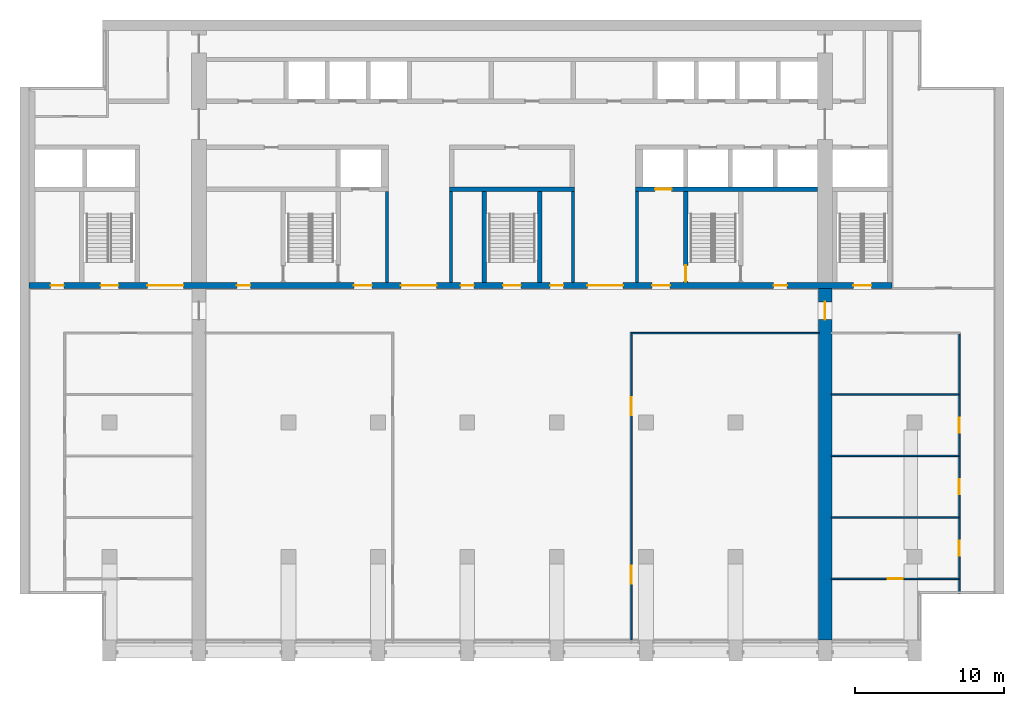
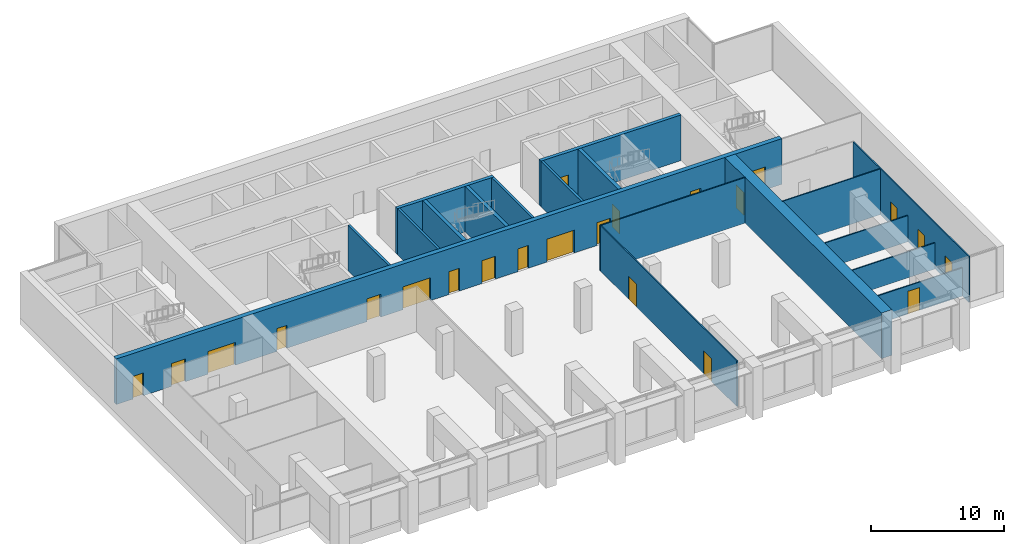
# One storey, part 7 of 13: 22 doors, 18 walls, 22 openings.
"""IFC4 building model written with IfcOpenShell, lengths in metres."""

from ifc_helpers import new_model, si_unit, direction, frame, frame_2d, origin, place, context, subcontext, project, spatial, rectangle, extrude, material, layer, layer_set, type_object, element, fill, save


model = new_model("IFC4")

# Units and contexts
model_context = context("Model", 3, precision=1e-05, world=origin(), true_north=direction((0.0, 1.0)))
body_context = subcontext(model_context, "Body", "Model", "MODEL_VIEW")
ifc_project = project(units=[si_unit("LENGTHUNIT", "METRE"), si_unit("AREAUNIT", "SQUARE_METRE"), si_unit("VOLUMEUNIT", "CUBIC_METRE"), si_unit("PLANEANGLEUNIT", "RADIAN"), si_unit("MASSUNIT", "GRAM", prefix="KILO")], contexts=[model_context])

# Site, building, storey
site_placement = place(None, origin())
site = spatial("IfcSite", under=ifc_project, at=site_placement, CompositionType="ELEMENT")
building_placement = place(site_placement, origin())
building = spatial("IfcBuilding", under=site, at=building_placement, Name="Calvaro Tower", CompositionType="ELEMENT")
storey_placement = place(building_placement, frame((0.0, 0.0, 226.75)))
storey = spatial("IfcBuildingStorey", under=building, at=storey_placement, Name="L57", CompositionType="ELEMENT", Elevation=226.75)

# Walls
ifc_material_1 = material(Name="Blockwork partition", Category="masonry")
ifc_layer_1 = layer(ifc_material_1, 0.199951171875)
ifc_layer_set_1 = layer_set([ifc_layer_1], Name="Blockwork partition")
wall_type_1 = type_object("IfcWallType", Name="Core partition 200 REI 120", PredefinedType="PARTITIONING", material=ifc_layer_set_1)
for number, where, z_axis, x_axis, name in (
    (1, (30.60009765625, 28.39990234375, 0.0), (0.0, 0.0, 1.0), (0.0, 1.0, 0.0), "Core partition"),
    (2, (34.89990234375, 28.39990234375, 0.0), (0.0, 0.0, 1.0), (0.0, 1.0, 0.0), "Core partition"),
    (3, (43.10009765625, 28.39990234375, 0.0), (0.0, 0.0, 1.0), (0.0, 1.0, 0.0), "Core partition"),
    (4, (47.39990234375, 28.39990234375, 0.0), (0.0, 0.0, 1.0), (0.0, 1.0, 0.0), "Core partition"),
):
    element("IfcWall", number, at=place(storey_placement, frame(where, z_axis=z_axis, x_axis=x_axis)), inside=storey, type_object=wall_type_1, Name=name, PredefinedType="PARTITIONING", context=body_context, shape_type="SweptSolid", body=[
        extrude(rectangle(XDim=6.10009765625, YDim=0.199951171875, at=frame_2d((3.050048828125, 0.0))), origin(), (0.0, 0.0, 1.0), 4.199951171875),
    ])
ifc_material_2 = material(Name="Concrete C50/60", Category="concrete")
ifc_layer_2 = layer(ifc_material_2, 0.300048828125)
ifc_layer_set_2 = layer_set([ifc_layer_2], Name="Concrete C50/60")
wall_type_2 = type_object("IfcWallType", Name="Core wall C50/60 300", PredefinedType="SHEAR", material=ifc_layer_set_2)
for number, where, z_axis, x_axis, name in (
    (5, (37.14990234375, 28.39990234375, 0.0), (0.0, 0.0, 1.0), (0.0, 1.0, 0.0), "Core wall, stair enclosure"),
    (6, (40.85009765625, 28.39990234375, 0.0), (0.0, 0.0, 1.0), (0.0, 1.0, 0.0), "Core wall, stair enclosure"),
):
    element("IfcWall", number, at=place(storey_placement, frame(where, z_axis=z_axis, x_axis=x_axis)), inside=storey, type_object=wall_type_2, Name=name, PredefinedType="SHEAR", context=body_context, shape_type="SweptSolid", body=[
        extrude(rectangle(XDim=6.10009765625, YDim=0.300048828125, at=frame_2d((3.050048828125, 0.0))), origin(), (0.0, 0.0, 1.0), 4.199951171875),
    ])

# Wall, opening, door
wall_1_placement = place(storey_placement, frame((50.64990234375, 34.5, 0.0), z_axis=(0.0, 0.0, 1.0), x_axis=(0.0, -1.0, 0.0)))
wall_1 = element("IfcWall", 7, at=wall_1_placement, inside=storey, type_object=wall_type_2, Name="Core wall, stair enclosure", PredefinedType="SHEAR", context=body_context, shape_type="SweptSolid", body=[
    extrude(rectangle(XDim=6.10009765625, YDim=0.300048828125, at=frame_2d((3.050048828125, 0.0))), origin(), (0.0, 0.0, 1.0), 4.199951171875),
])
opening_1_placement = place(wall_1_placement, frame((4.949951171875, 0.0, 0.0)))
opening_1 = element("IfcOpeningElement", 8, at=opening_1_placement, cuts=wall_1, Name="Opening FD11D", PredefinedType="OPENING", context=body_context, shape_type="SweptSolid", body=[
    extrude(rectangle(XDim=1.10009765625, YDim=2.10009765625, at=frame_2d((0.550048828125, 1.050048828125))), frame((0.0, 0.159912109375, 0.0), z_axis=(0.0, -1.0, 0.0), x_axis=(1.0, 0.0, 0.0)), (0.0, 0.0, 1.0), 0.320068359375),
])
ifc_material_3 = material(Name="Steel door set", Category="steel")
door_type_1 = type_object("IfcDoorType", Name="Fire door 1100 FD30S", OperationType="SINGLE_SWING_LEFT", PredefinedType="DOOR", material=ifc_material_3)
door_1_placement = place(opening_1_placement, origin())
door_1 = element("IfcDoor", 9, at=door_1_placement, inside=storey, type_object=door_type_1, Name="Fire door", OperationType="SINGLE_SWING_RIGHT", OverallHeight=2.10009765625, OverallWidth=1.10009765625, PredefinedType="DOOR", context=body_context, shape_type="SweptSolid", body=[
    extrude(rectangle(XDim=1.10009765625, YDim=2.10009765625, at=frame_2d((0.550048828125, 1.050048828125))), frame((0.0, 0.02490234375, 0.0), z_axis=(0.0, -1.0, 0.0), x_axis=(1.0, 0.0, 0.0)), (0.0, 0.0, 1.0), 0.050048828125),
])
fill(opening_1, door_1)

# Wall
wall_2_placement = place(storey_placement, frame((34.800048828125, 34.64990234375, 0.0), z_axis=(0.0, 0.0, 1.0), x_axis=(1.0, 0.0, 0.0)))
element("IfcWall", 10, at=wall_2_placement, inside=storey, type_object=wall_type_2, Name="Core wall, lift shaft", PredefinedType="SHEAR", context=body_context, shape_type="SweptSolid", body=[
    extrude(rectangle(XDim=8.39990234375, YDim=0.300048828125, at=frame_2d((4.199951171875, 0.0))), origin(), (0.0, 0.0, 1.0), 4.199951171875),
])

# Wall, opening, door
wall_3_placement = place(storey_placement, frame((47.300048828125, 34.64990234375, 0.0), z_axis=(0.0, 0.0, 1.0), x_axis=(1.0, 0.0, 0.0)))
wall_3 = element("IfcWall", 11, at=wall_3_placement, inside=storey, type_object=wall_type_2, Name="Core wall, lift shaft", PredefinedType="SHEAR", context=body_context, shape_type="SweptSolid", body=[
    extrude(rectangle(XDim=12.199951171875, YDim=0.300048828125, at=frame_2d((6.10009765625, 0.0))), origin(), (0.0, 0.0, 1.0), 4.199951171875),
])
opening_2_placement = place(wall_3_placement, frame((1.300048828125, 0.0, 0.0)))
opening_2 = element("IfcOpeningElement", 12, at=opening_2_placement, cuts=wall_3, Name="Opening FF2", PredefinedType="OPENING", context=body_context, shape_type="SweptSolid", body=[
    extrude(rectangle(XDim=1.10009765625, YDim=2.10009765625, at=frame_2d((0.550048828125, 1.050048828125))), frame((0.0, 0.159912109375, 0.0), z_axis=(0.0, -1.0, 0.0), x_axis=(1.0, 0.0, 0.0)), (0.0, 0.0, 1.0), 0.320068359375),
])
ifc_material_4 = material(Name="Stainless steel", Category="steel")
door_type_2 = type_object("IfcDoorType", Name="Landing door 1100 E 60", OperationType="SLIDING_TO_LEFT", PredefinedType="DOOR", material=ifc_material_4)
door_2_placement = place(opening_2_placement, origin())
door_2 = element("IfcDoor", 13, at=door_2_placement, inside=storey, type_object=door_type_2, Name="Landing door FF2", OperationType="SLIDING_TO_LEFT", OverallHeight=2.10009765625, OverallWidth=1.10009765625, PredefinedType="DOOR", context=body_context, shape_type="SweptSolid", body=[
    extrude(rectangle(XDim=1.10009765625, YDim=2.10009765625, at=frame_2d((0.550048828125, 1.050048828125))), frame((0.0, 0.02490234375, 0.0), z_axis=(0.0, -1.0, 0.0), x_axis=(1.0, 0.0, 0.0)), (0.0, 0.0, 1.0), 0.050048828125),
])
fill(opening_2, door_2)

# Wall, openings, doors
ifc_material_5 = material(Name="Concrete C50/60", Category="concrete")
ifc_layer_3 = layer(ifc_material_5, 0.39990234375)
ifc_layer_set_3 = layer_set([ifc_layer_3], Name="Concrete C50/60")
wall_type_3 = type_object("IfcWallType", Name="Core wall C50/60 400", PredefinedType="SHEAR", material=ifc_layer_set_3)
wall_4_placement = place(storey_placement, frame((6.60009765625, 28.199951171875, 0.0), z_axis=(0.0, 0.0, 1.0), x_axis=(1.0, 0.0, 0.0)))
wall_4 = element("IfcWall", 14, at=wall_4_placement, inside=storey, type_object=wall_type_3, Name="Core wall, front", PredefinedType="SHEAR", context=body_context, shape_type="SweptSolid", body=[
    extrude(rectangle(XDim=57.89990234375, YDim=0.39990234375, at=frame_2d((28.949951171875, 0.0))), origin(), (0.0, 0.0, 1.0), 4.199951171875),
])
opening_3_placement = place(wall_4_placement, frame((13.949951171875, 0.0, 0.0)))
opening_3 = element("IfcOpeningElement", 15, at=opening_3_placement, cuts=wall_4, Name="Opening RD9D", PredefinedType="OPENING", context=body_context, shape_type="SweptSolid", body=[
    extrude(rectangle(XDim=0.89990234375, YDim=2.10009765625, at=frame_2d((0.449951171875, 1.050048828125))), frame((0.0, 0.2099609375, 0.0), z_axis=(0.0, -1.0, 0.0), x_axis=(1.0, 0.0, 0.0)), (0.0, 0.0, 1.0), 0.419921875),
])
opening_4_placement = place(wall_4_placement, frame((49.949951171875, 0.0, 0.0)))
opening_4 = element("IfcOpeningElement", 16, at=opening_4_placement, cuts=wall_4, Name="Opening RD9D", PredefinedType="OPENING", context=body_context, shape_type="SweptSolid", body=[
    extrude(rectangle(XDim=0.89990234375, YDim=2.10009765625, at=frame_2d((0.449951171875, 1.050048828125))), frame((0.0, 0.2099609375, 0.0), z_axis=(0.0, -1.0, 0.0), x_axis=(1.0, 0.0, 0.0)), (0.0, 0.0, 1.0), 0.419921875),
])
opening_5_placement = place(wall_4_placement, frame((1.449951171875, 0.0, 0.0)))
opening_5 = element("IfcOpeningElement", 17, at=opening_5_placement, cuts=wall_4, Name="Opening RD9E", PredefinedType="OPENING", context=body_context, shape_type="SweptSolid", body=[
    extrude(rectangle(XDim=0.89990234375, YDim=2.10009765625, at=frame_2d((0.449951171875, 1.050048828125))), frame((0.0, 0.2099609375, 0.0), z_axis=(0.0, -1.0, 0.0), x_axis=(1.0, 0.0, 0.0)), (0.0, 0.0, 1.0), 0.419921875),
])
opening_6_placement = place(wall_4_placement, frame((4.800048828125, 0.0, 0.0)))
opening_6 = element("IfcOpeningElement", 18, at=opening_6_placement, cuts=wall_4, Name="Opening SD12D", PredefinedType="OPENING", context=body_context, shape_type="SweptSolid", body=[
    extrude(rectangle(XDim=1.199951171875, YDim=2.10009765625, at=frame_2d((0.60009765625, 1.050048828125))), frame((0.0, 0.2099609375, 0.0), z_axis=(0.0, -1.0, 0.0), x_axis=(1.0, 0.0, 0.0)), (0.0, 0.0, 1.0), 0.419921875),
])
opening_7_placement = place(wall_4_placement, frame((31.800048828125, 0.0, 0.0)))
opening_7 = element("IfcOpeningElement", 19, at=opening_7_placement, cuts=wall_4, Name="Opening SD12D", PredefinedType="OPENING", context=body_context, shape_type="SweptSolid", body=[
    extrude(rectangle(XDim=1.199951171875, YDim=2.10009765625, at=frame_2d((0.60009765625, 1.050048828125))), frame((0.0, 0.2099609375, 0.0), z_axis=(0.0, -1.0, 0.0), x_axis=(1.0, 0.0, 0.0)), (0.0, 0.0, 1.0), 0.419921875),
])
opening_8_placement = place(wall_4_placement, frame((55.300048828125, 0.0, 0.0)))
opening_8 = element("IfcOpeningElement", 20, at=opening_8_placement, cuts=wall_4, Name="Opening SD12D", PredefinedType="OPENING", context=body_context, shape_type="SweptSolid", body=[
    extrude(rectangle(XDim=1.199951171875, YDim=2.10009765625, at=frame_2d((0.60009765625, 1.050048828125))), frame((0.0, 0.2099609375, 0.0), z_axis=(0.0, -1.0, 0.0), x_axis=(1.0, 0.0, 0.0)), (0.0, 0.0, 1.0), 0.419921875),
])
opening_9_placement = place(wall_4_placement, frame((21.800048828125, 0.0, 0.0)))
opening_9 = element("IfcOpeningElement", 21, at=opening_9_placement, cuts=wall_4, Name="Opening FD12F", PredefinedType="OPENING", context=body_context, shape_type="SweptSolid", body=[
    extrude(rectangle(XDim=1.199951171875, YDim=2.10009765625, at=frame_2d((0.60009765625, 1.050048828125))), frame((0.0, 0.2099609375, 0.0), z_axis=(0.0, -1.0, 0.0), x_axis=(1.0, 0.0, 0.0)), (0.0, 0.0, 1.0), 0.419921875),
])
opening_10_placement = place(wall_4_placement, frame((41.800048828125, 0.0, 0.0)))
opening_10 = element("IfcOpeningElement", 22, at=opening_10_placement, cuts=wall_4, Name="Opening FD12F", PredefinedType="OPENING", context=body_context, shape_type="SweptSolid", body=[
    extrude(rectangle(XDim=1.199951171875, YDim=2.10009765625, at=frame_2d((0.60009765625, 1.050048828125))), frame((0.0, 0.2099609375, 0.0), z_axis=(0.0, -1.0, 0.0), x_axis=(1.0, 0.0, 0.0)), (0.0, 0.0, 1.0), 0.419921875),
])
opening_11_placement = place(wall_4_placement, frame((24.949951171875, 0.0, 0.0)))
opening_11 = element("IfcOpeningElement", 23, at=opening_11_placement, cuts=wall_4, Name="Opening DD24D", PredefinedType="OPENING", context=body_context, shape_type="SweptSolid", body=[
    extrude(rectangle(XDim=2.39990234375, YDim=2.10009765625, at=frame_2d((1.199951171875, 1.050048828125))), frame((0.0, 0.2099609375, 0.0), z_axis=(0.0, -1.0, 0.0), x_axis=(1.0, 0.0, 0.0)), (0.0, 0.0, 1.0), 0.419921875),
])
opening_12_placement = place(wall_4_placement, frame((37.449951171875, 0.0, 0.0)))
opening_12 = element("IfcOpeningElement", 24, at=opening_12_placement, cuts=wall_4, Name="Opening DD24D", PredefinedType="OPENING", context=body_context, shape_type="SweptSolid", body=[
    extrude(rectangle(XDim=2.39990234375, YDim=2.10009765625, at=frame_2d((1.199951171875, 1.050048828125))), frame((0.0, 0.2099609375, 0.0), z_axis=(0.0, -1.0, 0.0), x_axis=(1.0, 0.0, 0.0)), (0.0, 0.0, 1.0), 0.419921875),
])
opening_13_placement = place(wall_4_placement, frame((7.949951171875, 0.0, 0.0)))
opening_13 = element("IfcOpeningElement", 25, at=opening_13_placement, cuts=wall_4, Name="Opening DD24D", PredefinedType="OPENING", context=body_context, shape_type="SweptSolid", body=[
    extrude(rectangle(XDim=2.39990234375, YDim=2.10009765625, at=frame_2d((1.199951171875, 1.050048828125))), frame((0.0, 0.2099609375, 0.0), z_axis=(0.0, -1.0, 0.0), x_axis=(1.0, 0.0, 0.0)), (0.0, 0.0, 1.0), 0.419921875),
])
opening_14_placement = place(wall_4_placement, frame((28.949951171875, 0.0, 0.0)))
opening_14 = element("IfcOpeningElement", 26, at=opening_14_placement, cuts=wall_4, Name="Opening RD9E", PredefinedType="OPENING", context=body_context, shape_type="SweptSolid", body=[
    extrude(rectangle(XDim=0.89990234375, YDim=2.10009765625, at=frame_2d((0.449951171875, 1.050048828125))), frame((0.0, 0.2099609375, 0.0), z_axis=(0.0, -1.0, 0.0), x_axis=(1.0, 0.0, 0.0)), (0.0, 0.0, 1.0), 0.419921875),
])
opening_15_placement = place(wall_4_placement, frame((34.949951171875, 0.0, 0.0)))
opening_15 = element("IfcOpeningElement", 27, at=opening_15_placement, cuts=wall_4, Name="Opening RD9E", PredefinedType="OPENING", context=body_context, shape_type="SweptSolid", body=[
    extrude(rectangle(XDim=0.89990234375, YDim=2.10009765625, at=frame_2d((0.449951171875, 1.050048828125))), frame((0.0, 0.2099609375, 0.0), z_axis=(0.0, -1.0, 0.0), x_axis=(1.0, 0.0, 0.0)), (0.0, 0.0, 1.0), 0.419921875),
])
ifc_material_6 = material(Name="Steel door set", Category="steel")
door_type_3 = type_object("IfcDoorType", Name="Fire door 1200 FD60S", OperationType="SINGLE_SWING_LEFT", PredefinedType="DOOR", material=ifc_material_6)
door_3_placement = place(opening_9_placement, origin())
door_3 = element("IfcDoor", 28, at=door_3_placement, inside=storey, type_object=door_type_3, Name="Fire door", OperationType="SINGLE_SWING_LEFT", OverallHeight=2.10009765625, OverallWidth=1.199951171875, PredefinedType="DOOR", context=body_context, shape_type="SweptSolid", body=[
    extrude(rectangle(XDim=1.199951171875, YDim=2.10009765625, at=frame_2d((0.60009765625, 1.050048828125))), frame((0.0, 0.02490234375, 0.0), z_axis=(0.0, -1.0, 0.0), x_axis=(1.0, 0.0, 0.0)), (0.0, 0.0, 1.0), 0.050048828125),
])
fill(opening_9, door_3)
door_4_placement = place(opening_10_placement, origin())
door_4 = element("IfcDoor", 29, at=door_4_placement, inside=storey, type_object=door_type_3, Name="Fire door", OperationType="SINGLE_SWING_LEFT", OverallHeight=2.10009765625, OverallWidth=1.199951171875, PredefinedType="DOOR", context=body_context, shape_type="SweptSolid", body=[
    extrude(rectangle(XDim=1.199951171875, YDim=2.10009765625, at=frame_2d((0.60009765625, 1.050048828125))), frame((0.0, 0.02490234375, 0.0), z_axis=(0.0, -1.0, 0.0), x_axis=(1.0, 0.0, 0.0)), (0.0, 0.0, 1.0), 0.050048828125),
])
fill(opening_10, door_4)
ifc_material_7 = material(Name="Steel door set", Category="steel")
door_type_4 = type_object("IfcDoorType", Name="Lobby double door 2400 FD30S", OperationType="DOUBLE_DOOR_SINGLE_SWING", PredefinedType="DOOR", material=ifc_material_7)
door_5_placement = place(opening_11_placement, origin())
door_5 = element("IfcDoor", 30, at=door_5_placement, inside=storey, type_object=door_type_4, Name="Lobby double door", OperationType="DOUBLE_DOOR_SINGLE_SWING", OverallHeight=2.10009765625, OverallWidth=2.39990234375, PredefinedType="DOOR", context=body_context, shape_type="SweptSolid", body=[
    extrude(rectangle(XDim=2.39990234375, YDim=2.10009765625, at=frame_2d((1.199951171875, 1.050048828125))), frame((0.0, 0.02490234375, 0.0), z_axis=(0.0, -1.0, 0.0), x_axis=(1.0, 0.0, 0.0)), (0.0, 0.0, 1.0), 0.050048828125),
])
fill(opening_11, door_5)
door_6_placement = place(opening_12_placement, origin())
door_6 = element("IfcDoor", 31, at=door_6_placement, inside=storey, type_object=door_type_4, Name="Lobby double door", OperationType="DOUBLE_DOOR_SINGLE_SWING", OverallHeight=2.10009765625, OverallWidth=2.39990234375, PredefinedType="DOOR", context=body_context, shape_type="SweptSolid", body=[
    extrude(rectangle(XDim=2.39990234375, YDim=2.10009765625, at=frame_2d((1.199951171875, 1.050048828125))), frame((0.0, 0.02490234375, 0.0), z_axis=(0.0, -1.0, 0.0), x_axis=(1.0, 0.0, 0.0)), (0.0, 0.0, 1.0), 0.050048828125),
])
fill(opening_12, door_6)
door_7_placement = place(opening_13_placement, origin())
door_7 = element("IfcDoor", 32, at=door_7_placement, inside=storey, type_object=door_type_4, Name="Lobby double door", OperationType="DOUBLE_DOOR_SINGLE_SWING", OverallHeight=2.10009765625, OverallWidth=2.39990234375, PredefinedType="DOOR", context=body_context, shape_type="SweptSolid", body=[
    extrude(rectangle(XDim=2.39990234375, YDim=2.10009765625, at=frame_2d((1.199951171875, 1.050048828125))), frame((0.0, 0.02490234375, 0.0), z_axis=(0.0, -1.0, 0.0), x_axis=(1.0, 0.0, 0.0)), (0.0, 0.0, 1.0), 0.050048828125),
])
fill(opening_13, door_7)
ifc_material_8 = material(Name="Steel door set", Category="steel")
door_type_5 = type_object("IfcDoorType", Name="Room door 900 FD30S", OperationType="SINGLE_SWING_LEFT", PredefinedType="DOOR", material=ifc_material_8)
door_8_placement = place(opening_3_placement, origin())
door_8 = element("IfcDoor", 33, at=door_8_placement, inside=storey, type_object=door_type_5, Name="Room door", OperationType="SINGLE_SWING_LEFT", OverallHeight=2.10009765625, OverallWidth=0.89990234375, PredefinedType="DOOR", context=body_context, shape_type="SweptSolid", body=[
    extrude(rectangle(XDim=0.89990234375, YDim=2.10009765625, at=frame_2d((0.449951171875, 1.050048828125))), frame((0.0, 0.02490234375, 0.0), z_axis=(0.0, -1.0, 0.0), x_axis=(1.0, 0.0, 0.0)), (0.0, 0.0, 1.0), 0.050048828125),
])
fill(opening_3, door_8)
door_9_placement = place(opening_4_placement, origin())
door_9 = element("IfcDoor", 34, at=door_9_placement, inside=storey, type_object=door_type_5, Name="Room door", OperationType="SINGLE_SWING_LEFT", OverallHeight=2.10009765625, OverallWidth=0.89990234375, PredefinedType="DOOR", context=body_context, shape_type="SweptSolid", body=[
    extrude(rectangle(XDim=0.89990234375, YDim=2.10009765625, at=frame_2d((0.449951171875, 1.050048828125))), frame((0.0, 0.02490234375, 0.0), z_axis=(0.0, -1.0, 0.0), x_axis=(1.0, 0.0, 0.0)), (0.0, 0.0, 1.0), 0.050048828125),
])
fill(opening_4, door_9)
ifc_material_9 = material(Name="Steel door set", Category="steel")
door_type_6 = type_object("IfcDoorType", Name="Room door 900 FD60", OperationType="SINGLE_SWING_LEFT", PredefinedType="DOOR", material=ifc_material_9)
door_10_placement = place(opening_5_placement, origin())
door_10 = element("IfcDoor", 35, at=door_10_placement, inside=storey, type_object=door_type_6, Name="Room door", OperationType="SINGLE_SWING_LEFT", OverallHeight=2.10009765625, OverallWidth=0.89990234375, PredefinedType="DOOR", context=body_context, shape_type="SweptSolid", body=[
    extrude(rectangle(XDim=0.89990234375, YDim=2.10009765625, at=frame_2d((0.449951171875, 1.050048828125))), frame((0.0, 0.02490234375, 0.0), z_axis=(0.0, -1.0, 0.0), x_axis=(1.0, 0.0, 0.0)), (0.0, 0.0, 1.0), 0.050048828125),
])
fill(opening_5, door_10)
door_11_placement = place(opening_14_placement, origin())
door_11 = element("IfcDoor", 36, at=door_11_placement, inside=storey, type_object=door_type_6, Name="Room door", OperationType="SINGLE_SWING_LEFT", OverallHeight=2.10009765625, OverallWidth=0.89990234375, PredefinedType="DOOR", context=body_context, shape_type="SweptSolid", body=[
    extrude(rectangle(XDim=0.89990234375, YDim=2.10009765625, at=frame_2d((0.449951171875, 1.050048828125))), frame((0.0, 0.02490234375, 0.0), z_axis=(0.0, -1.0, 0.0), x_axis=(1.0, 0.0, 0.0)), (0.0, 0.0, 1.0), 0.050048828125),
])
fill(opening_14, door_11)
door_12_placement = place(opening_15_placement, origin())
door_12 = element("IfcDoor", 37, at=door_12_placement, inside=storey, type_object=door_type_6, Name="Room door", OperationType="SINGLE_SWING_LEFT", OverallHeight=2.10009765625, OverallWidth=0.89990234375, PredefinedType="DOOR", context=body_context, shape_type="SweptSolid", body=[
    extrude(rectangle(XDim=0.89990234375, YDim=2.10009765625, at=frame_2d((0.449951171875, 1.050048828125))), frame((0.0, 0.02490234375, 0.0), z_axis=(0.0, -1.0, 0.0), x_axis=(1.0, 0.0, 0.0)), (0.0, 0.0, 1.0), 0.050048828125),
])
fill(opening_15, door_12)
ifc_material_10 = material(Name="Steel door set", Category="steel")
door_type_7 = type_object("IfcDoorType", Name="Stair door 1200 FD30S", OperationType="SINGLE_SWING_LEFT", PredefinedType="DOOR", material=ifc_material_10)
door_13_placement = place(opening_6_placement, origin())
door_13 = element("IfcDoor", 38, at=door_13_placement, inside=storey, type_object=door_type_7, Name="Stair door", OperationType="SINGLE_SWING_LEFT", OverallHeight=2.10009765625, OverallWidth=1.199951171875, PredefinedType="DOOR", context=body_context, shape_type="SweptSolid", body=[
    extrude(rectangle(XDim=1.199951171875, YDim=2.10009765625, at=frame_2d((0.60009765625, 1.050048828125))), frame((0.0, 0.02490234375, 0.0), z_axis=(0.0, -1.0, 0.0), x_axis=(1.0, 0.0, 0.0)), (0.0, 0.0, 1.0), 0.050048828125),
])
fill(opening_6, door_13)
door_14_placement = place(opening_7_placement, origin())
door_14 = element("IfcDoor", 39, at=door_14_placement, inside=storey, type_object=door_type_7, Name="Stair door", OperationType="SINGLE_SWING_LEFT", OverallHeight=2.10009765625, OverallWidth=1.199951171875, PredefinedType="DOOR", context=body_context, shape_type="SweptSolid", body=[
    extrude(rectangle(XDim=1.199951171875, YDim=2.10009765625, at=frame_2d((0.60009765625, 1.050048828125))), frame((0.0, 0.02490234375, 0.0), z_axis=(0.0, -1.0, 0.0), x_axis=(1.0, 0.0, 0.0)), (0.0, 0.0, 1.0), 0.050048828125),
])
fill(opening_7, door_14)
door_15_placement = place(opening_8_placement, origin())
door_15 = element("IfcDoor", 40, at=door_15_placement, inside=storey, type_object=door_type_7, Name="Stair door", OperationType="SINGLE_SWING_LEFT", OverallHeight=2.10009765625, OverallWidth=1.199951171875, PredefinedType="DOOR", context=body_context, shape_type="SweptSolid", body=[
    extrude(rectangle(XDim=1.199951171875, YDim=2.10009765625, at=frame_2d((0.60009765625, 1.050048828125))), frame((0.0, 0.02490234375, 0.0), z_axis=(0.0, -1.0, 0.0), x_axis=(1.0, 0.0, 0.0)), (0.0, 0.0, 1.0), 0.050048828125),
])
fill(opening_8, door_15)

# Wall, opening, door
ifc_material_11 = material(Name="Concrete C50/60", Category="concrete")
ifc_layer_4 = layer(ifc_material_11, 0.89990234375)
ifc_layer_set_4 = layer_set([ifc_layer_4], Name="Concrete C50/60")
wall_type_4 = type_object("IfcWallType", Name="Outrigger wall 900 C50/60", PredefinedType="SHEAR", material=ifc_layer_set_4)
wall_5_placement = place(storey_placement, frame((60.0, 4.39990234375, 0.0), z_axis=(0.0, 0.0, 1.0), x_axis=(0.0, 1.0, 0.0)))
wall_5 = element("IfcWall", 41, at=wall_5_placement, inside=storey, type_object=wall_type_4, Name="Outrigger wall", PredefinedType="SHEAR", context=body_context, shape_type="SweptSolid", body=[
    extrude(rectangle(XDim=23.60009765625, YDim=0.89990234375, at=frame_2d((11.800048828125, 0.0))), origin(), (0.0, 0.0, 1.0), 4.199951171875),
])
opening_16_placement = place(wall_5_placement, frame((21.5, 0.0, 0.0)))
opening_16 = element("IfcOpeningElement", 42, at=opening_16_placement, cuts=wall_5, Name="Opening T33.017", PredefinedType="OPENING", context=body_context, shape_type="SweptSolid", body=[
    extrude(rectangle(XDim=1.199951171875, YDim=2.10009765625, at=frame_2d((0.60009765625, 1.050048828125))), frame((0.0, 0.4599609375, 0.0), z_axis=(0.0, -1.0, 0.0), x_axis=(1.0, 0.0, 0.0)), (0.0, 0.0, 1.0), 0.919921875),
])
ifc_material_12 = material(Name="Timber", Category="wood")
door_type_8 = type_object("IfcDoorType", Name="Internal single door 1200 x 2100 FD30S", OperationType="SINGLE_SWING_LEFT", PredefinedType="DOOR", material=ifc_material_12)
door_16_placement = place(opening_16_placement, origin())
door_16 = element("IfcDoor", 43, at=door_16_placement, inside=storey, type_object=door_type_8, Name="Door T33.017", OperationType="SINGLE_SWING_LEFT", OverallHeight=2.10009765625, OverallWidth=1.199951171875, PredefinedType="DOOR", context=body_context, shape_type="SweptSolid", body=[
    extrude(rectangle(XDim=1.199951171875, YDim=2.10009765625, at=frame_2d((0.60009765625, 1.050048828125))), frame((0.0, 0.02490234375, 0.0), z_axis=(0.0, -1.0, 0.0), x_axis=(1.0, 0.0, 0.0)), (0.0, 0.0, 1.0), 0.050048828125),
])
fill(opening_16, door_16)

ifc_material_13 = material(Name="Plasterboard on steel studs", Category="steel")
ifc_layer_5 = layer(ifc_material_13, 0.10009765625)
ifc_layer_set_5 = layer_set([ifc_layer_5], Name="Plasterboard on steel studs")
wall_type_5 = type_object("IfcWallType", Name="Partition 100 REI 120", PredefinedType="PARTITIONING", material=ifc_layer_set_5)
wall_6_placement = place(storey_placement, frame((60.39990234375, 8.52001953125, 0.0), z_axis=(0.0, 0.0, 1.0), x_axis=(1.0, 0.0, 0.0)))
wall_6 = element("IfcWall", 44, at=wall_6_placement, inside=storey, type_object=wall_type_5, Name="Partition T33.W002", PredefinedType="PARTITIONING", context=body_context, shape_type="SweptSolid", body=[
    extrude(rectangle(XDim=8.550048828125, YDim=0.10009765625, at=frame_2d((4.27490234375, 0.0))), origin(), (0.0, 0.0, 1.0), 2.60009765625),
])
opening_17_placement = place(wall_6_placement, frame((3.800048828125, 0.0, 0.0)))
opening_17 = element("IfcOpeningElement", 45, at=opening_17_placement, cuts=wall_6, Name="Opening T33.002", PredefinedType="OPENING", context=body_context, shape_type="SweptSolid", body=[
    extrude(rectangle(XDim=1.0, YDim=2.10009765625, at=frame_2d((0.5, 1.050048828125))), frame((0.0, 0.06005859375, 0.0), z_axis=(0.0, -1.0, 0.0), x_axis=(1.0, 0.0, 0.0)), (0.0, 0.0, 1.0), 0.1201171875),
])
ifc_material_14 = material(Name="Timber", Category="wood")
door_type_9 = type_object("IfcDoorType", Name="Internal single door 1000 x 2100 FD60", OperationType="SINGLE_SWING_LEFT", PredefinedType="DOOR", material=ifc_material_14)
door_17_placement = place(opening_17_placement, origin())
door_17 = element("IfcDoor", 46, at=door_17_placement, inside=storey, type_object=door_type_9, Name="Door T33.002", OperationType="SINGLE_SWING_RIGHT", OverallHeight=2.10009765625, OverallWidth=1.0, PredefinedType="DOOR", context=body_context, shape_type="SweptSolid", body=[
    extrude(rectangle(XDim=1.0, YDim=2.10009765625, at=frame_2d((0.5, 1.050048828125))), frame((0.0, 0.02490234375, 0.0), z_axis=(0.0, -1.0, 0.0), x_axis=(1.0, 0.0, 0.0)), (0.0, 0.0, 1.0), 0.050048828125),
])
fill(opening_17, door_17)

# Walls
for number, where, z_axis, x_axis, name in (
    (47, (60.39990234375, 12.639892578125, 0.0), (0.0, 0.0, 1.0), (1.0, 0.0, 0.0), "Partition T33.W004"),
    (48, (60.39990234375, 16.760009765625, 0.0), (0.0, 0.0, 1.0), (1.0, 0.0, 0.0), "Partition T33.W006"),
):
    element("IfcWall", number, at=place(storey_placement, frame(where, z_axis=z_axis, x_axis=x_axis)), inside=storey, type_object=wall_type_5, Name=name, PredefinedType="PARTITIONING", context=body_context, shape_type="SweptSolid", body=[
        extrude(rectangle(XDim=8.550048828125, YDim=0.10009765625, at=frame_2d((4.27490234375, 0.0))), origin(), (0.0, 0.0, 1.0), 2.39990234375),
    ])
wall_7_placement = place(storey_placement, frame((60.39990234375, 20.8798828125, 0.0), z_axis=(0.0, 0.0, 1.0), x_axis=(1.0, 0.0, 0.0)))
element("IfcWall", 49, at=wall_7_placement, inside=storey, type_object=wall_type_5, Name="Partition T33.W008", PredefinedType="PARTITIONING", context=body_context, shape_type="SweptSolid", body=[
    extrude(rectangle(XDim=8.550048828125, YDim=0.10009765625, at=frame_2d((4.27490234375, 0.0))), origin(), (0.0, 0.0, 1.0), 4.199951171875),
])
wall_8_placement = place(storey_placement, frame((46.949951171875, 25.0, 0.0), z_axis=(0.0, 0.0, 1.0), x_axis=(1.0, 0.0, 0.0)))
element("IfcWall", 50, at=wall_8_placement, inside=storey, type_object=wall_type_5, Name="Partition T33.W011", PredefinedType="PARTITIONING", context=body_context, shape_type="SweptSolid", body=[
    extrude(rectangle(XDim=12.650146484375, YDim=0.10009765625, at=frame_2d((6.3251953125, 0.0))), origin(), (0.0, 0.0, 1.0), 4.199951171875),
])

# Wall, openings, doors
wall_9_placement = place(storey_placement, frame((47.0, 4.39990234375, 0.0), z_axis=(0.0, 0.0, 1.0), x_axis=(0.0, 1.0, 0.0)))
wall_9 = element("IfcWall", 51, at=wall_9_placement, inside=storey, type_object=wall_type_5, Name="Partition T33.W016", PredefinedType="PARTITIONING", context=body_context, shape_type="SweptSolid", body=[
    extrude(rectangle(XDim=20.550048828125, YDim=0.10009765625, at=frame_2d((10.27490234375, 0.0))), origin(), (0.0, 0.0, 1.0), 4.199951171875),
])
opening_18_placement = place(wall_9_placement, frame((3.800048828125, 0.0, 0.0)))
opening_18 = element("IfcOpeningElement", 52, at=opening_18_placement, cuts=wall_9, Name="Opening T33.008", PredefinedType="OPENING", context=body_context, shape_type="SweptSolid", body=[
    extrude(rectangle(XDim=1.199951171875, YDim=2.10009765625, at=frame_2d((0.60009765625, 1.050048828125))), frame((0.0, 0.06005859375, 0.0), z_axis=(0.0, -1.0, 0.0), x_axis=(1.0, 0.0, 0.0)), (0.0, 0.0, 1.0), 0.1201171875),
])
opening_19_placement = place(wall_9_placement, frame((15.10009765625, 0.0, 0.0)))
opening_19 = element("IfcOpeningElement", 53, at=opening_19_placement, cuts=wall_9, Name="Opening T33.009", PredefinedType="OPENING", context=body_context, shape_type="SweptSolid", body=[
    extrude(rectangle(XDim=1.199951171875, YDim=2.10009765625, at=frame_2d((0.60009765625, 1.050048828125))), frame((0.0, 0.06005859375, 0.0), z_axis=(0.0, -1.0, 0.0), x_axis=(1.0, 0.0, 0.0)), (0.0, 0.0, 1.0), 0.1201171875),
])
door_18_placement = place(opening_18_placement, origin())
door_18 = element("IfcDoor", 54, at=door_18_placement, inside=storey, type_object=door_type_8, Name="Door T33.008", OperationType="SINGLE_SWING_LEFT", OverallHeight=2.10009765625, OverallWidth=1.199951171875, PredefinedType="DOOR", context=body_context, shape_type="SweptSolid", body=[
    extrude(rectangle(XDim=1.199951171875, YDim=2.10009765625, at=frame_2d((0.60009765625, 1.050048828125))), frame((0.0, 0.02490234375, 0.0), z_axis=(0.0, -1.0, 0.0), x_axis=(1.0, 0.0, 0.0)), (0.0, 0.0, 1.0), 0.050048828125),
])
fill(opening_18, door_18)
door_19_placement = place(opening_19_placement, origin())
door_19 = element("IfcDoor", 55, at=door_19_placement, inside=storey, type_object=door_type_8, Name="Door T33.009", OperationType="SINGLE_SWING_RIGHT", OverallHeight=2.10009765625, OverallWidth=1.199951171875, PredefinedType="DOOR", context=body_context, shape_type="SweptSolid", body=[
    extrude(rectangle(XDim=1.199951171875, YDim=2.10009765625, at=frame_2d((0.60009765625, 1.050048828125))), frame((0.0, 0.02490234375, 0.0), z_axis=(0.0, -1.0, 0.0), x_axis=(1.0, 0.0, 0.0)), (0.0, 0.0, 1.0), 0.050048828125),
])
fill(opening_19, door_19)

wall_10_placement = place(storey_placement, frame((69.0, 7.5, 0.0), z_axis=(0.0, 0.0, 1.0), x_axis=(0.0, 1.0, 0.0)))
wall_10 = element("IfcWall", 56, at=wall_10_placement, inside=storey, type_object=wall_type_5, Name="Partition T33.W017", PredefinedType="PARTITIONING", context=body_context, shape_type="SweptSolid", body=[
    extrude(rectangle(XDim=17.449951171875, YDim=0.10009765625, at=frame_2d((8.72509765625, 0.0))), origin(), (0.0, 0.0, 1.0), 4.199951171875),
])
opening_20_placement = place(wall_10_placement, frame((2.580078125, 0.0, 0.0)))
opening_20 = element("IfcOpeningElement", 57, at=opening_20_placement, cuts=wall_10, Name="Opening T33.004", PredefinedType="OPENING", context=body_context, shape_type="SweptSolid", body=[
    extrude(rectangle(XDim=1.0, YDim=2.10009765625, at=frame_2d((0.5, 1.050048828125))), frame((0.0, 0.06005859375, 0.0), z_axis=(0.0, -1.0, 0.0), x_axis=(1.0, 0.0, 0.0)), (0.0, 0.0, 1.0), 0.1201171875),
])
opening_21_placement = place(wall_10_placement, frame((6.699951171875, 0.0, 0.0)))
opening_21 = element("IfcOpeningElement", 58, at=opening_21_placement, cuts=wall_10, Name="Opening T33.010", PredefinedType="OPENING", context=body_context, shape_type="SweptSolid", body=[
    extrude(rectangle(XDim=1.0, YDim=2.10009765625, at=frame_2d((0.5, 1.050048828125))), frame((0.0, 0.06005859375, 0.0), z_axis=(0.0, -1.0, 0.0), x_axis=(1.0, 0.0, 0.0)), (0.0, 0.0, 1.0), 0.1201171875),
])
opening_22_placement = place(wall_10_placement, frame((10.820068359375, 0.0, 0.0)))
opening_22 = element("IfcOpeningElement", 59, at=opening_22_placement, cuts=wall_10, Name="Opening T33.012", PredefinedType="OPENING", context=body_context, shape_type="SweptSolid", body=[
    extrude(rectangle(XDim=1.0, YDim=2.10009765625, at=frame_2d((0.5, 1.050048828125))), frame((0.0, 0.06005859375, 0.0), z_axis=(0.0, -1.0, 0.0), x_axis=(1.0, 0.0, 0.0)), (0.0, 0.0, 1.0), 0.1201171875),
])
door_20_placement = place(opening_20_placement, origin())
door_20 = element("IfcDoor", 60, at=door_20_placement, inside=storey, type_object=door_type_9, Name="Door T33.004", OperationType="SINGLE_SWING_LEFT", OverallHeight=2.10009765625, OverallWidth=1.0, PredefinedType="DOOR", context=body_context, shape_type="SweptSolid", body=[
    extrude(rectangle(XDim=1.0, YDim=2.10009765625, at=frame_2d((0.5, 1.050048828125))), frame((0.0, 0.02490234375, 0.0), z_axis=(0.0, -1.0, 0.0), x_axis=(1.0, 0.0, 0.0)), (0.0, 0.0, 1.0), 0.050048828125),
])
fill(opening_20, door_20)
door_21_placement = place(opening_21_placement, origin())
door_21 = element("IfcDoor", 61, at=door_21_placement, inside=storey, type_object=door_type_9, Name="Door T33.010", OperationType="SINGLE_SWING_LEFT", OverallHeight=2.10009765625, OverallWidth=1.0, PredefinedType="DOOR", context=body_context, shape_type="SweptSolid", body=[
    extrude(rectangle(XDim=1.0, YDim=2.10009765625, at=frame_2d((0.5, 1.050048828125))), frame((0.0, 0.02490234375, 0.0), z_axis=(0.0, -1.0, 0.0), x_axis=(1.0, 0.0, 0.0)), (0.0, 0.0, 1.0), 0.050048828125),
])
fill(opening_21, door_21)
door_22_placement = place(opening_22_placement, origin())
door_22 = element("IfcDoor", 62, at=door_22_placement, inside=storey, type_object=door_type_9, Name="Door T33.012", OperationType="SINGLE_SWING_RIGHT", OverallHeight=2.10009765625, OverallWidth=1.0, PredefinedType="DOOR", context=body_context, shape_type="SweptSolid", body=[
    extrude(rectangle(XDim=1.0, YDim=2.10009765625, at=frame_2d((0.5, 1.050048828125))), frame((0.0, 0.02490234375, 0.0), z_axis=(0.0, -1.0, 0.0), x_axis=(1.0, 0.0, 0.0)), (0.0, 0.0, 1.0), 0.050048828125),
])
fill(opening_22, door_22)

save(model, "model.ifc")
